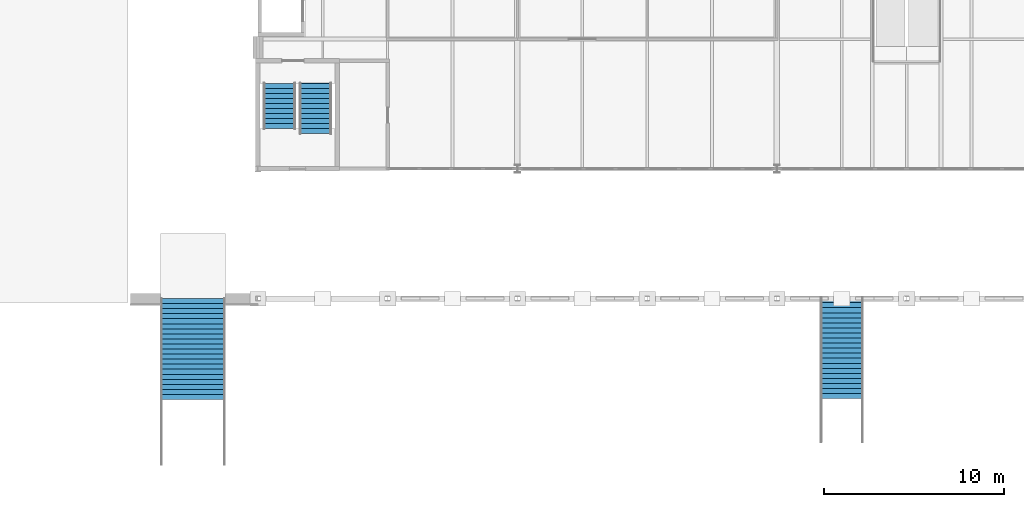
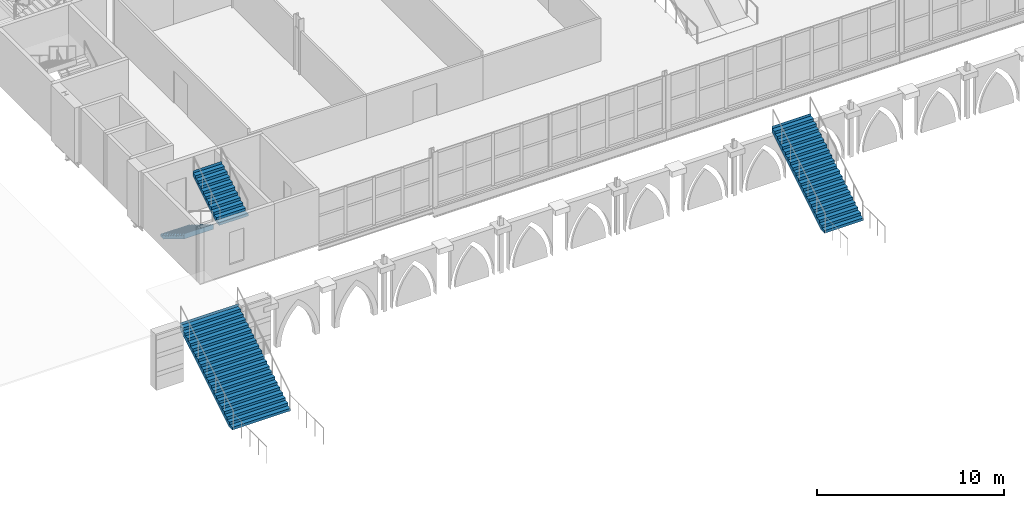
# One storey, part 61 of 90: 4 stair flights, 3 elements without a shape of their own.
"""IFC4 building model written with IfcOpenShell, lengths in metres."""

from ifc_helpers import new_model, si_unit, direction, frame, origin, place, context, subcontext, project, spatial, polyline, outline, extrude, material, type_object, element, aggregate, save


model = new_model("IFC4")

# Units and contexts
model_context = context("Model", 3, precision=1e-05, world=origin(), true_north=direction((0.0, 1.0)))
body_context = subcontext(model_context, "Body", "Model", "MODEL_VIEW")
ifc_project = project(units=[si_unit("LENGTHUNIT", "METRE"), si_unit("AREAUNIT", "SQUARE_METRE"), si_unit("VOLUMEUNIT", "CUBIC_METRE"), si_unit("PLANEANGLEUNIT", "RADIAN"), si_unit("MASSUNIT", "GRAM", prefix="KILO")], contexts=[model_context])

# Site, building, storey
site_placement = place(None, origin())
site = spatial("IfcSite", under=ifc_project, at=site_placement, CompositionType="ELEMENT")
building_placement = place(site_placement, origin())
building = spatial("IfcBuilding", under=site, at=building_placement, Name="Kupolbacken Congress Centre", CompositionType="ELEMENT")
storey_placement = place(building_placement, frame((0.0, 0.0, 3.60009765625)))
storey = spatial("IfcBuildingStorey", under=building, at=storey_placement, Name="L01", CompositionType="ELEMENT", Elevation=3.60009765625)

# Stair, stair flights
ifc_material_1 = material(Name="Steel S355", Category="steel")
stair_type_1 = type_object("IfcStairType", Name="ST3 stair 1800", PredefinedType="TWO_STRAIGHT_RUN_STAIR", material=ifc_material_1)
stair_1_placement = place(storey_placement, origin())
stair_1 = element("IfcStair", 1, at=stair_1_placement, inside=storey, type_object=stair_type_1, Name="C/stair/FS1W/L01", PredefinedType="NOTDEFINED")
ifc_material_2 = material(Name="Steel S355", Category="steel")
stair_flight_type_1 = type_object("IfcStairFlightType", Name="FL5 stair flight 1800 x 10 risers", PredefinedType="STRAIGHT", material=ifc_material_2)
stair_flight_1_placement = place(storey_placement, frame((8.39990234375, 33.544921875, 0.0), z_axis=(0.0, 0.0, 1.0), x_axis=(0.0, -1.0, 0.0)))
stair_flight_1 = element("IfcStairFlight", 2, at=stair_flight_1_placement, type_object=stair_flight_type_1, Name="FS1W flight 1", NumberOfRisers=10, NumberOfTreads=9, PredefinedType="STRAIGHT", RiserHeight=0.171428571, TreadLength=0.28, context=body_context, shape_type="SweptSolid", body=[
    extrude(outline(polyline([(0.0, 0.0), (0.0, 0.0009765625), (0.0, 0.002197265625), (0.0, 0.003173828125), (0.0, 0.004150390625), (0.0, 0.00537109375), (0.0, 0.00634765625), (0.0, 0.007568359375), (0.0, 0.008544921875), (0.0, 0.009521484375), (0.0, 0.0107421875), (0.0, 0.01171875), (0.0, 0.0126953125), (0.0, 0.013916015625), (0.0, 0.014892578125), (0.0, 0.015869140625), (0.0, 0.01708984375), (0.0, 0.01806640625), (0.0, 0.019287109375), (0.0, 0.020263671875), (0.0, 0.021240234375), (0.0, 0.0224609375), (0.0, 0.0234375), (0.0, 0.0244140625), (0.0, 0.025634765625), (0.0, 0.026611328125), (0.0, 0.027587890625), (0.0, 0.02880859375), (0.0, 0.02978515625), (0.0, 0.03076171875), (0.0, 0.031982421875), (0.0, 0.032958984375), (0.0, 0.0341796875), (0.0, 0.03515625), (0.0, 0.0361328125), (0.0, 0.037353515625), (0.0, 0.038330078125), (0.0, 0.039306640625), (0.0, 0.04052734375), (0.0, 0.04150390625), (0.0, 0.04248046875), (0.0, 0.043701171875), (0.0, 0.044677734375), (0.0, 0.0458984375), (0.0, 0.046875), (0.0, 0.0478515625), (0.0, 0.049072265625), (0.0, 0.050048828125), (0.0, 0.051025390625), (0.0, 0.05224609375), (0.0, 0.05322265625), (0.0, 0.05419921875), (0.0, 0.055419921875), (0.0, 0.056396484375), (0.0, 0.0576171875), (0.0, 0.05859375), (0.0, 0.0595703125), (0.0, 0.060791015625), (0.0, 0.061767578125), (0.0, 0.062744140625), (0.0, 0.06396484375), (0.0, 0.06494140625), (0.0, 0.06591796875), (0.0, 0.067138671875), (0.0, 0.068115234375), (0.0, 0.069091796875), (0.0, 0.0703125), (0.0, 0.0712890625), (0.0, 0.072509765625), (0.0, 0.073486328125), (0.0, 0.074462890625), (0.0, 0.07568359375), (0.0, 0.07666015625), (0.0, 0.07763671875), (0.0, 0.078857421875), (0.0, 0.079833984375), (0.0, 0.080810546875), (0.0, 0.08203125), (0.0, 0.0830078125), (0.0, 0.084228515625), (0.0, 0.085205078125), (0.0, 0.086181640625), (0.0, 0.08740234375), (0.0, 0.08837890625), (0.0, 0.08935546875), (0.0, 0.090576171875), (0.0, 0.091552734375), (0.0, 0.092529296875), (0.0, 0.09375), (0.0, 0.0947265625), (0.0, 0.095947265625), (0.0, 0.096923828125), (0.0, 0.097900390625), (0.0, 0.09912109375), (0.0, 0.10009765625), (0.0, 0.10107421875), (0.0, 0.102294921875), (0.0, 0.103271484375), (0.0, 0.104248046875), (0.0, 0.10546875), (0.0, 0.1064453125), (0.0, 0.107421875), (0.0, 0.108642578125), (0.0, 0.109619140625), (0.0, 0.11083984375), (0.0, 0.11181640625), (0.0, 0.11279296875), (0.0, 0.114013671875), (0.0, 0.114990234375), (0.0, 0.115966796875), (0.0, 0.1171875), (0.0, 0.1181640625), (0.0, 0.119140625), (0.0, 0.120361328125), (0.0, 0.121337890625), (0.0, 0.12255859375), (0.0, 0.12353515625), (0.0, 0.12451171875), (0.0, 0.125732421875), (0.0, 0.126708984375), (0.0, 0.127685546875), (0.0, 0.12890625), (0.0, 0.1298828125), (0.0, 0.130859375), (0.0, 0.132080078125), (0.0, 0.133056640625), (0.0, 0.13427734375), (0.0, 0.13525390625), (0.0, 0.13623046875), (0.0, 0.137451171875), (0.0, 0.138427734375), (0.0, 0.139404296875), (0.0, 0.140625), (0.0, 0.1416015625), (0.0, 0.142578125), (0.0, 0.143798828125), (0.0, 0.144775390625), (0.0, 0.145751953125), (0.0, 0.14697265625), (0.0, 0.14794921875), (0.0, 0.149169921875), (0.0, 0.150146484375), (0.0, 0.151123046875), (0.0, 0.15234375), (0.0, 0.1533203125), (0.0, 0.154296875), (0.0, 0.155517578125), (0.0, 0.156494140625), (0.0, 0.157470703125), (0.0, 0.15869140625), (0.0, 0.15966796875), (0.0, 0.160888671875), (0.0, 0.161865234375), (0.0, 0.162841796875), (0.0, 0.1640625), (0.0, 0.1650390625), (0.0, 0.166015625), (0.0, 0.167236328125), (0.0, 0.168212890625), (0.0, 0.169189453125), (0.0, 0.17041015625), (0.0, 0.17138671875), (0.280029296875, 0.17138671875), (0.280029296875, 0.3427734375), (0.56005859375, 0.3427734375), (0.56005859375, 0.514404296875), (0.840087890625, 0.514404296875), (0.840087890625, 0.685791015625), (1.1201171875, 0.685791015625), (1.1201171875, 0.857177734375), (1.39990234375, 0.857177734375), (1.39990234375, 1.028564453125), (1.679931640625, 1.028564453125), (1.679931640625, 1.199951171875), (1.9599609375, 1.199951171875), (1.9599609375, 1.371337890625), (2.239990234375, 1.371337890625), (2.239990234375, 1.54296875), (2.52001953125, 1.54296875), (2.52001953125, 1.71435546875), (2.52197265625, 1.71435546875), (2.52197265625, 1.712158203125), (2.52197265625, 1.7099609375), (2.52197265625, 1.707763671875), (2.52197265625, 1.70556640625), (2.52197265625, 1.70361328125), (2.52197265625, 1.701416015625), (2.52197265625, 1.69921875), (2.52197265625, 1.697021484375), (2.52197265625, 1.69482421875), (2.52197265625, 1.692626953125), (2.52197265625, 1.690673828125), (2.52197265625, 1.6884765625), (2.52197265625, 1.686279296875), (2.52197265625, 1.68408203125), (2.52197265625, 1.681884765625), (2.52197265625, 1.6796875), (2.52197265625, 1.677734375), (2.52197265625, 1.675537109375), (2.52197265625, 1.67333984375), (2.52197265625, 1.671142578125), (2.52197265625, 1.6689453125), (2.52197265625, 1.666748046875), (2.52197265625, 1.664794921875), (2.52197265625, 1.66259765625), (2.52197265625, 1.660400390625), (2.52197265625, 1.658203125), (2.52197265625, 1.656005859375), (2.52197265625, 1.65380859375), (2.52197265625, 1.65185546875), (2.52197265625, 1.649658203125), (2.52197265625, 1.6474609375), (2.52197265625, 1.645263671875), (2.52197265625, 1.64306640625), (2.52197265625, 1.640869140625), (2.52197265625, 1.638916015625), (2.52197265625, 1.63671875), (2.52197265625, 1.634521484375), (2.52197265625, 1.63232421875), (2.52197265625, 1.630126953125), (2.52197265625, 1.6279296875), (2.52197265625, 1.6259765625), (2.52197265625, 1.623779296875), (2.52197265625, 1.62158203125), (2.52197265625, 1.619384765625), (2.52197265625, 1.6171875), (2.52197265625, 1.614990234375), (2.52197265625, 1.613037109375), (2.52197265625, 1.61083984375), (2.52197265625, 1.608642578125), (2.52197265625, 1.6064453125), (2.52197265625, 1.604248046875), (2.52197265625, 1.60205078125), (2.52197265625, 1.60009765625), (2.52197265625, 1.597900390625), (2.52197265625, 1.595703125), (2.52197265625, 1.593505859375), (2.52197265625, 1.59130859375), (2.52197265625, 1.589111328125), (2.52197265625, 1.587158203125), (2.52197265625, 1.5849609375), (2.52197265625, 1.582763671875), (2.52197265625, 1.58056640625), (2.52197265625, 1.578369140625), (2.52197265625, 1.576171875), (2.52197265625, 1.57421875), (2.52197265625, 1.572021484375), (2.52197265625, 1.56982421875), (2.52197265625, 1.567626953125), (2.52197265625, 1.5654296875), (2.52197265625, 1.563232421875), (2.52197265625, 1.561279296875), (2.52197265625, 1.55908203125), (2.52197265625, 1.556884765625), (2.52197265625, 1.5546875), (2.52197265625, 1.552490234375), (2.52197265625, 1.55029296875), (2.52197265625, 1.54833984375), (2.52197265625, 1.546142578125), (2.52197265625, 1.5439453125), (2.52197265625, 1.541748046875), (2.52197265625, 1.53955078125), (2.52197265625, 1.537353515625), (2.52197265625, 1.535400390625), (2.52197265625, 1.533203125), (2.52197265625, 1.531005859375), (2.52197265625, 1.52880859375), (2.52197265625, 1.526611328125), (2.52197265625, 1.5244140625), (2.52197265625, 1.5224609375), (2.52197265625, 1.520263671875), (2.52197265625, 1.51806640625), (2.52197265625, 1.515869140625), (2.52197265625, 1.513671875), (2.52197265625, 1.511474609375), (2.52197265625, 1.509521484375), (2.52197265625, 1.50732421875), (2.52197265625, 1.505126953125), (2.52197265625, 1.5029296875), (2.52197265625, 1.500732421875), (2.52197265625, 1.49853515625), (2.52197265625, 1.49658203125), (2.52197265625, 1.494384765625), (2.52197265625, 1.4921875), (2.52197265625, 1.489990234375), (2.52197265625, 1.48779296875), (2.52197265625, 1.485595703125), (2.52197265625, 1.483642578125), (2.52197265625, 1.4814453125), (2.52197265625, 1.479248046875), (2.52197265625, 1.47705078125), (2.52197265625, 1.474853515625), (2.52197265625, 1.47265625), (2.52197265625, 1.470703125), (2.52197265625, 1.468505859375), (2.52197265625, 1.46630859375), (2.52197265625, 1.464111328125), (2.52197265625, 1.4619140625), (2.52197265625, 1.459716796875), (2.52197265625, 1.457763671875), (2.52197265625, 1.45556640625), (2.52197265625, 1.453369140625), (2.52197265625, 1.451171875), (2.52197265625, 1.448974609375), (2.52197265625, 1.44677734375), (2.52197265625, 1.44482421875), (2.52197265625, 1.442626953125), (2.52197265625, 1.4404296875), (2.52197265625, 1.438232421875), (2.52197265625, 1.43603515625), (2.52197265625, 1.433837890625), (2.52197265625, 1.431884765625), (2.52197265625, 1.4296875), (2.52197265625, 1.427490234375), (2.52197265625, 1.42529296875), (2.52197265625, 1.423095703125), (2.52197265625, 1.4208984375), (2.52197265625, 1.4189453125), (2.52197265625, 1.416748046875), (2.52197265625, 1.41455078125), (2.52197265625, 1.412353515625), (2.52197265625, 1.41015625), (2.52197265625, 1.407958984375), (2.52197265625, 1.406005859375), (2.52197265625, 1.40380859375), (2.52197265625, 1.401611328125), (2.52197265625, 1.3994140625), (2.52197265625, 1.397216796875), (2.52197265625, 1.39501953125), (2.52197265625, 1.39306640625), (2.52197265625, 1.390869140625), (2.52197265625, 1.388671875), (2.52197265625, 1.386474609375), (2.52197265625, 1.38427734375), (2.52197265625, 1.382080078125), (2.52197265625, 1.380126953125), (2.52197265625, 1.3779296875), (2.52197265625, 1.375732421875), (2.52197265625, 1.37353515625), (2.52197265625, 1.371337890625), (2.52197265625, 1.369140625), (2.52197265625, 1.3671875), (0.2890625, 0.0), (0.0, 0.0)])), frame((0.0, 0.89990234375, 0.0), z_axis=(0.0, -1.0, 0.0), x_axis=(1.0, 0.0, 0.0)), (0.0, 0.0, 1.0), 1.800048828125),
])
ifc_material_3 = material(Name="Steel S355", Category="steel")
stair_flight_type_2 = type_object("IfcStairFlightType", Name="FL6 stair flight 1800 x 11 risers", PredefinedType="STRAIGHT", material=ifc_material_3)
stair_flight_2_placement = place(storey_placement, frame((10.39990234375, 30.7451171875, 1.714111328125), z_axis=(0.0, 0.0, 1.0), x_axis=(0.0, 1.0, 0.0)))
stair_flight_2 = element("IfcStairFlight", 3, at=stair_flight_2_placement, type_object=stair_flight_type_2, Name="FS1W flight 2", NumberOfRisers=11, NumberOfTreads=10, PredefinedType="STRAIGHT", RiserHeight=0.171428571, TreadLength=0.28, context=body_context, shape_type="SweptSolid", body=[
    extrude(outline(polyline([(0.0, 0.0), (0.0, 0.0009765625), (0.0, 0.002197265625), (0.0, 0.003173828125), (0.0, 0.004150390625), (0.0, 0.00537109375), (0.0, 0.00634765625), (0.0, 0.007568359375), (0.0, 0.008544921875), (0.0, 0.009521484375), (0.0, 0.0107421875), (0.0, 0.01171875), (0.0, 0.0126953125), (0.0, 0.013916015625), (0.0, 0.014892578125), (0.0, 0.015869140625), (0.0, 0.01708984375), (0.0, 0.01806640625), (0.0, 0.019287109375), (0.0, 0.020263671875), (0.0, 0.021240234375), (0.0, 0.0224609375), (0.0, 0.0234375), (0.0, 0.0244140625), (0.0, 0.025634765625), (0.0, 0.026611328125), (0.0, 0.027587890625), (0.0, 0.02880859375), (0.0, 0.02978515625), (0.0, 0.03076171875), (0.0, 0.031982421875), (0.0, 0.032958984375), (0.0, 0.0341796875), (0.0, 0.03515625), (0.0, 0.0361328125), (0.0, 0.037353515625), (0.0, 0.038330078125), (0.0, 0.039306640625), (0.0, 0.04052734375), (0.0, 0.04150390625), (0.0, 0.04248046875), (0.0, 0.043701171875), (0.0, 0.044677734375), (0.0, 0.0458984375), (0.0, 0.046875), (0.0, 0.0478515625), (0.0, 0.049072265625), (0.0, 0.050048828125), (0.0, 0.051025390625), (0.0, 0.05224609375), (0.0, 0.05322265625), (0.0, 0.05419921875), (0.0, 0.055419921875), (0.0, 0.056396484375), (0.0, 0.0576171875), (0.0, 0.05859375), (0.0, 0.0595703125), (0.0, 0.060791015625), (0.0, 0.061767578125), (0.0, 0.062744140625), (0.0, 0.06396484375), (0.0, 0.06494140625), (0.0, 0.06591796875), (0.0, 0.067138671875), (0.0, 0.068115234375), (0.0, 0.069091796875), (0.0, 0.0703125), (0.0, 0.0712890625), (0.0, 0.072509765625), (0.0, 0.073486328125), (0.0, 0.074462890625), (0.0, 0.07568359375), (0.0, 0.07666015625), (0.0, 0.07763671875), (0.0, 0.078857421875), (0.0, 0.079833984375), (0.0, 0.080810546875), (0.0, 0.08203125), (0.0, 0.0830078125), (0.0, 0.084228515625), (0.0, 0.085205078125), (0.0, 0.086181640625), (0.0, 0.08740234375), (0.0, 0.08837890625), (0.0, 0.08935546875), (0.0, 0.090576171875), (0.0, 0.091552734375), (0.0, 0.092529296875), (0.0, 0.09375), (0.0, 0.0947265625), (0.0, 0.095947265625), (0.0, 0.096923828125), (0.0, 0.097900390625), (0.0, 0.09912109375), (0.0, 0.10009765625), (0.0, 0.10107421875), (0.0, 0.102294921875), (0.0, 0.103271484375), (0.0, 0.104248046875), (0.0, 0.10546875), (0.0, 0.1064453125), (0.0, 0.107421875), (0.0, 0.108642578125), (0.0, 0.109619140625), (0.0, 0.11083984375), (0.0, 0.11181640625), (0.0, 0.11279296875), (0.0, 0.114013671875), (0.0, 0.114990234375), (0.0, 0.115966796875), (0.0, 0.1171875), (0.0, 0.1181640625), (0.0, 0.119140625), (0.0, 0.120361328125), (0.0, 0.121337890625), (0.0, 0.12255859375), (0.0, 0.12353515625), (0.0, 0.12451171875), (0.0, 0.125732421875), (0.0, 0.126708984375), (0.0, 0.127685546875), (0.0, 0.12890625), (0.0, 0.1298828125), (0.0, 0.130859375), (0.0, 0.132080078125), (0.0, 0.133056640625), (0.0, 0.13427734375), (0.0, 0.13525390625), (0.0, 0.13623046875), (0.0, 0.137451171875), (0.0, 0.138427734375), (0.0, 0.139404296875), (0.0, 0.140625), (0.0, 0.1416015625), (0.0, 0.142578125), (0.0, 0.143798828125), (0.0, 0.144775390625), (0.0, 0.145751953125), (0.0, 0.14697265625), (0.0, 0.14794921875), (0.0, 0.149169921875), (0.0, 0.150146484375), (0.0, 0.151123046875), (0.0, 0.15234375), (0.0, 0.1533203125), (0.0, 0.154296875), (0.0, 0.155517578125), (0.0, 0.156494140625), (0.0, 0.157470703125), (0.0, 0.15869140625), (0.0, 0.15966796875), (0.0, 0.160888671875), (0.0, 0.161865234375), (0.0, 0.162841796875), (0.0, 0.1640625), (0.0, 0.1650390625), (0.0, 0.166015625), (0.0, 0.167236328125), (0.0, 0.168212890625), (0.0, 0.169189453125), (0.0, 0.17041015625), (0.0, 0.17138671875), (0.280029296875, 0.17138671875), (0.280029296875, 0.3427734375), (0.56005859375, 0.3427734375), (0.56005859375, 0.514404296875), (0.840087890625, 0.514404296875), (0.840087890625, 0.685791015625), (1.1201171875, 0.685791015625), (1.1201171875, 0.857177734375), (1.39990234375, 0.857177734375), (1.39990234375, 1.028564453125), (1.679931640625, 1.028564453125), (1.679931640625, 1.199951171875), (1.9599609375, 1.199951171875), (1.9599609375, 1.371337890625), (2.239990234375, 1.371337890625), (2.239990234375, 1.54296875), (2.52001953125, 1.54296875), (2.52001953125, 1.71435546875), (2.800048828125, 1.71435546875), (2.800048828125, 1.8857421875), (2.802001953125, 1.8857421875), (2.802001953125, 1.883544921875), (2.802001953125, 1.88134765625), (2.802001953125, 1.879150390625), (2.802001953125, 1.877197265625), (2.802001953125, 1.875), (2.802001953125, 1.872802734375), (2.802001953125, 1.87060546875), (2.802001953125, 1.868408203125), (2.802001953125, 1.8662109375), (2.802001953125, 1.8642578125), (2.802001953125, 1.862060546875), (2.802001953125, 1.85986328125), (2.802001953125, 1.857666015625), (2.802001953125, 1.85546875), (2.802001953125, 1.853271484375), (2.802001953125, 1.851318359375), (2.802001953125, 1.84912109375), (2.802001953125, 1.846923828125), (2.802001953125, 1.8447265625), (2.802001953125, 1.842529296875), (2.802001953125, 1.84033203125), (2.802001953125, 1.83837890625), (2.802001953125, 1.836181640625), (2.802001953125, 1.833984375), (2.802001953125, 1.831787109375), (2.802001953125, 1.82958984375), (2.802001953125, 1.827392578125), (2.802001953125, 1.825439453125), (2.802001953125, 1.8232421875), (2.802001953125, 1.821044921875), (2.802001953125, 1.81884765625), (2.802001953125, 1.816650390625), (2.802001953125, 1.814453125), (2.802001953125, 1.8125), (2.802001953125, 1.810302734375), (2.802001953125, 1.80810546875), (2.802001953125, 1.805908203125), (2.802001953125, 1.8037109375), (2.802001953125, 1.801513671875), (2.802001953125, 1.799560546875), (2.802001953125, 1.79736328125), (2.802001953125, 1.795166015625), (2.802001953125, 1.79296875), (2.802001953125, 1.790771484375), (2.802001953125, 1.78857421875), (2.802001953125, 1.78662109375), (2.802001953125, 1.784423828125), (2.802001953125, 1.7822265625), (2.802001953125, 1.780029296875), (2.802001953125, 1.77783203125), (2.802001953125, 1.775634765625), (2.802001953125, 1.773681640625), (2.802001953125, 1.771484375), (2.802001953125, 1.769287109375), (2.802001953125, 1.76708984375), (2.802001953125, 1.764892578125), (2.802001953125, 1.7626953125), (2.802001953125, 1.7607421875), (2.802001953125, 1.758544921875), (2.802001953125, 1.75634765625), (2.802001953125, 1.754150390625), (2.802001953125, 1.751953125), (2.802001953125, 1.749755859375), (2.802001953125, 1.747802734375), (2.802001953125, 1.74560546875), (2.802001953125, 1.743408203125), (2.802001953125, 1.7412109375), (2.802001953125, 1.739013671875), (2.802001953125, 1.73681640625), (2.802001953125, 1.73486328125), (2.802001953125, 1.732666015625), (2.802001953125, 1.73046875), (2.802001953125, 1.728271484375), (2.802001953125, 1.72607421875), (2.802001953125, 1.723876953125), (2.802001953125, 1.721923828125), (2.802001953125, 1.7197265625), (2.802001953125, 1.717529296875), (2.802001953125, 1.71533203125), (2.802001953125, 1.713134765625), (2.802001953125, 1.7109375), (2.802001953125, 1.708984375), (2.802001953125, 1.706787109375), (2.802001953125, 1.70458984375), (2.802001953125, 1.702392578125), (2.802001953125, 1.7001953125), (2.802001953125, 1.697998046875), (2.802001953125, 1.696044921875), (2.802001953125, 1.69384765625), (2.802001953125, 1.691650390625), (2.802001953125, 1.689453125), (2.802001953125, 1.687255859375), (2.802001953125, 1.68505859375), (2.802001953125, 1.68310546875), (2.802001953125, 1.680908203125), (2.802001953125, 1.6787109375), (2.802001953125, 1.676513671875), (2.802001953125, 1.67431640625), (2.802001953125, 1.672119140625), (2.802001953125, 1.670166015625), (2.802001953125, 1.66796875), (2.802001953125, 1.665771484375), (2.802001953125, 1.66357421875), (2.802001953125, 1.661376953125), (2.802001953125, 1.6591796875), (2.802001953125, 1.6572265625), (2.802001953125, 1.655029296875), (2.802001953125, 1.65283203125), (2.802001953125, 1.650634765625), (2.802001953125, 1.6484375), (2.802001953125, 1.646240234375), (2.802001953125, 1.644287109375), (2.802001953125, 1.64208984375), (2.802001953125, 1.639892578125), (2.802001953125, 1.6376953125), (2.802001953125, 1.635498046875), (2.802001953125, 1.63330078125), (2.802001953125, 1.63134765625), (2.802001953125, 1.629150390625), (2.802001953125, 1.626953125), (2.802001953125, 1.624755859375), (2.802001953125, 1.62255859375), (2.802001953125, 1.620361328125), (2.802001953125, 1.618408203125), (2.802001953125, 1.6162109375), (2.802001953125, 1.614013671875), (2.802001953125, 1.61181640625), (2.802001953125, 1.609619140625), (2.802001953125, 1.607421875), (2.802001953125, 1.60546875), (2.802001953125, 1.603271484375), (2.802001953125, 1.60107421875), (2.802001953125, 1.598876953125), (2.802001953125, 1.5966796875), (2.802001953125, 1.594482421875), (2.802001953125, 1.592529296875), (2.802001953125, 1.59033203125), (2.802001953125, 1.588134765625), (2.802001953125, 1.5859375), (2.802001953125, 1.583740234375), (2.802001953125, 1.58154296875), (2.802001953125, 1.57958984375), (2.802001953125, 1.577392578125), (2.802001953125, 1.5751953125), (2.802001953125, 1.572998046875), (2.802001953125, 1.57080078125), (2.802001953125, 1.568603515625), (2.802001953125, 1.566650390625), (2.802001953125, 1.564453125), (2.802001953125, 1.562255859375), (2.802001953125, 1.56005859375), (2.802001953125, 1.557861328125), (2.802001953125, 1.5556640625), (2.802001953125, 1.5537109375), (2.802001953125, 1.551513671875), (2.802001953125, 1.54931640625), (2.802001953125, 1.547119140625), (2.802001953125, 1.544921875), (2.802001953125, 1.542724609375), (2.802001953125, 1.540771484375), (2.802001953125, 1.53857421875), (0.2890625, 0.0), (0.0, 0.0)])), frame((0.0, 0.89990234375, 0.0), z_axis=(0.0, -1.0, 0.0), x_axis=(1.0, 0.0, 0.0)), (0.0, 0.0, 1.0), 1.800048828125),
])
aggregate(stair_1, [stair_flight_1, stair_flight_2])

# Stair, stair flight
ifc_material_4 = material(Name="Steel S355", Category="steel")
stair_type_2 = type_object("IfcStairType", Name="ST4 stair 2400", PredefinedType="STRAIGHT_RUN_STAIR", material=ifc_material_4)
stair_2_placement = place(storey_placement, origin())
stair_2 = element("IfcStair", 4, at=stair_2_placement, inside=storey, type_object=stair_type_2, Name="External stair XS4", PredefinedType="STRAIGHT_RUN_STAIR")
ifc_material_5 = material(Name="Steel S355", Category="steel")
stair_flight_type_3 = type_object("IfcStairFlightType", Name="FL7 stair flight 2400 x 21 risers", PredefinedType="STRAIGHT", material=ifc_material_5)
stair_flight_3_placement = place(storey_placement, frame((39.60009765625, 16.050048828125, 0.0), z_axis=(0.0, 0.0, 1.0), x_axis=(0.0, 1.0, 0.0)))
stair_flight_3 = element("IfcStairFlight", 5, at=stair_flight_3_placement, type_object=stair_flight_type_3, Name="ST4 flight 1", NumberOfRisers=21, NumberOfTreads=20, PredefinedType="STRAIGHT", RiserHeight=0.1714, TreadLength=0.28, context=body_context, shape_type="SweptSolid", body=[
    extrude(outline(polyline([(0.0, 0.0), (0.0, 0.01318359375), (0.0, 0.0263671875), (0.0, 0.03955078125), (0.0, 0.052734375), (0.0, 0.06591796875), (0.0, 0.0791015625), (0.0, 0.09228515625), (0.0, 0.10546875), (0.0, 0.11865234375), (0.0, 0.1318359375), (0.0, 0.14501953125), (0.0, 0.158203125), (0.0, 0.17138671875), (0.280029296875, 0.17138671875), (0.280029296875, 0.3427734375), (0.56005859375, 0.3427734375), (0.56005859375, 0.51416015625), (0.840087890625, 0.51416015625), (0.840087890625, 0.685546875), (1.1201171875, 0.685546875), (1.1201171875, 0.85693359375), (1.39990234375, 0.85693359375), (1.39990234375, 1.0283203125), (1.679931640625, 1.0283203125), (1.679931640625, 1.19970703125), (1.9599609375, 1.19970703125), (1.9599609375, 1.37109375), (2.239990234375, 1.37109375), (2.239990234375, 1.54248046875), (2.52001953125, 1.54248046875), (2.52001953125, 1.714111328125), (2.800048828125, 1.714111328125), (2.800048828125, 1.885498046875), (3.080078125, 1.885498046875), (3.080078125, 2.056884765625), (3.360107421875, 2.056884765625), (3.360107421875, 2.228271484375), (3.639892578125, 2.228271484375), (3.639892578125, 2.399658203125), (3.919921875, 2.399658203125), (3.919921875, 2.571044921875), (4.199951171875, 2.571044921875), (4.199951171875, 2.742431640625), (4.47998046875, 2.742431640625), (4.47998046875, 2.913818359375), (4.760009765625, 2.913818359375), (4.760009765625, 3.085205078125), (5.0400390625, 3.085205078125), (5.0400390625, 3.256591796875), (5.320068359375, 3.256591796875), (5.320068359375, 3.427978515625), (5.60009765625, 3.427978515625), (5.60009765625, 3.599365234375), (5.60205078125, 3.599365234375), (5.60205078125, 3.568115234375), (5.60205078125, 3.536865234375), (5.60205078125, 3.505859375), (5.60205078125, 3.474609375), (5.60205078125, 3.443359375), (5.60205078125, 3.412109375), (5.60205078125, 3.380859375), (5.60205078125, 3.349609375), (5.60205078125, 3.318359375), (5.60205078125, 3.287109375), (5.60205078125, 3.256103515625), (5.60205078125, 3.224853515625), (5.60205078125, 3.193603515625), (0.385009765625, 0.0), (0.0, 0.0)])), frame((0.0, 1.199951171875, 0.0), z_axis=(0.0, -1.0, 0.0), x_axis=(1.0, 0.0, 0.0)), (0.0, 0.0, 1.0), 2.39990234375),
])
aggregate(stair_2, [stair_flight_3])

ifc_material_6 = material(Name="Concrete C30/37", Category="concrete")
stair_type_3 = type_object("IfcStairType", Name="XS1 external stair 3600", PredefinedType="STRAIGHT_RUN_STAIR", material=ifc_material_6)
stair_3_placement = place(storey_placement, origin())
stair_3 = element("IfcStair", 6, at=stair_3_placement, inside=storey, type_object=stair_type_3, Name="External stair XS1", PredefinedType="STRAIGHT_RUN_STAIR")
ifc_material_7 = material(Name="Concrete C30/37", Category="concrete")
stair_flight_type_4 = type_object("IfcStairFlightType", Name="XF1 external stair flight 3600 x 21 risers", PredefinedType="STRAIGHT", material=ifc_material_7)
stair_flight_4_placement = place(storey_placement, frame((3.60009765625, 16.0, 0.0), z_axis=(0.0, 0.0, 1.0), x_axis=(0.0, 1.0, 0.0)))
stair_flight_4 = element("IfcStairFlight", 7, at=stair_flight_4_placement, type_object=stair_flight_type_4, Name="XS1 flight 1", NumberOfRisers=21, NumberOfTreads=20, PredefinedType="STRAIGHT", RiserHeight=0.1714, TreadLength=0.28, context=body_context, shape_type="SweptSolid", body=[
    extrude(outline(polyline([(0.0, 0.0), (0.0, 0.01318359375), (0.0, 0.0263671875), (0.0, 0.03955078125), (0.0, 0.052734375), (0.0, 0.06591796875), (0.0, 0.0791015625), (0.0, 0.09228515625), (0.0, 0.10546875), (0.0, 0.11865234375), (0.0, 0.1318359375), (0.0, 0.14501953125), (0.0, 0.158203125), (0.0, 0.17138671875), (0.280029296875, 0.17138671875), (0.280029296875, 0.3427734375), (0.56005859375, 0.3427734375), (0.56005859375, 0.51416015625), (0.840087890625, 0.51416015625), (0.840087890625, 0.685546875), (1.1201171875, 0.685546875), (1.1201171875, 0.85693359375), (1.39990234375, 0.85693359375), (1.39990234375, 1.0283203125), (1.679931640625, 1.0283203125), (1.679931640625, 1.19970703125), (1.9599609375, 1.19970703125), (1.9599609375, 1.37109375), (2.239990234375, 1.37109375), (2.239990234375, 1.54248046875), (2.52001953125, 1.54248046875), (2.52001953125, 1.714111328125), (2.800048828125, 1.714111328125), (2.800048828125, 1.885498046875), (3.080078125, 1.885498046875), (3.080078125, 2.056884765625), (3.360107421875, 2.056884765625), (3.360107421875, 2.228271484375), (3.639892578125, 2.228271484375), (3.639892578125, 2.399658203125), (3.919921875, 2.399658203125), (3.919921875, 2.571044921875), (4.199951171875, 2.571044921875), (4.199951171875, 2.742431640625), (4.47998046875, 2.742431640625), (4.47998046875, 2.913818359375), (4.760009765625, 2.913818359375), (4.760009765625, 3.085205078125), (5.0400390625, 3.085205078125), (5.0400390625, 3.256591796875), (5.320068359375, 3.256591796875), (5.320068359375, 3.427978515625), (5.60009765625, 3.427978515625), (5.60009765625, 3.599365234375), (5.60205078125, 3.599365234375), (5.60205078125, 3.568115234375), (5.60205078125, 3.536865234375), (5.60205078125, 3.505859375), (5.60205078125, 3.474609375), (5.60205078125, 3.443359375), (5.60205078125, 3.412109375), (5.60205078125, 3.380859375), (5.60205078125, 3.349609375), (5.60205078125, 3.318359375), (5.60205078125, 3.287109375), (5.60205078125, 3.256103515625), (5.60205078125, 3.224853515625), (5.60205078125, 3.193603515625), (0.385009765625, 0.0), (0.0, 0.0)])), frame((0.0, 1.800048828125, 0.0), z_axis=(0.0, -1.0, 0.0), x_axis=(1.0, 0.0, 0.0)), (0.0, 0.0, 1.0), 3.60009765625),
])
aggregate(stair_3, [stair_flight_4])

save(model, "model.ifc")
